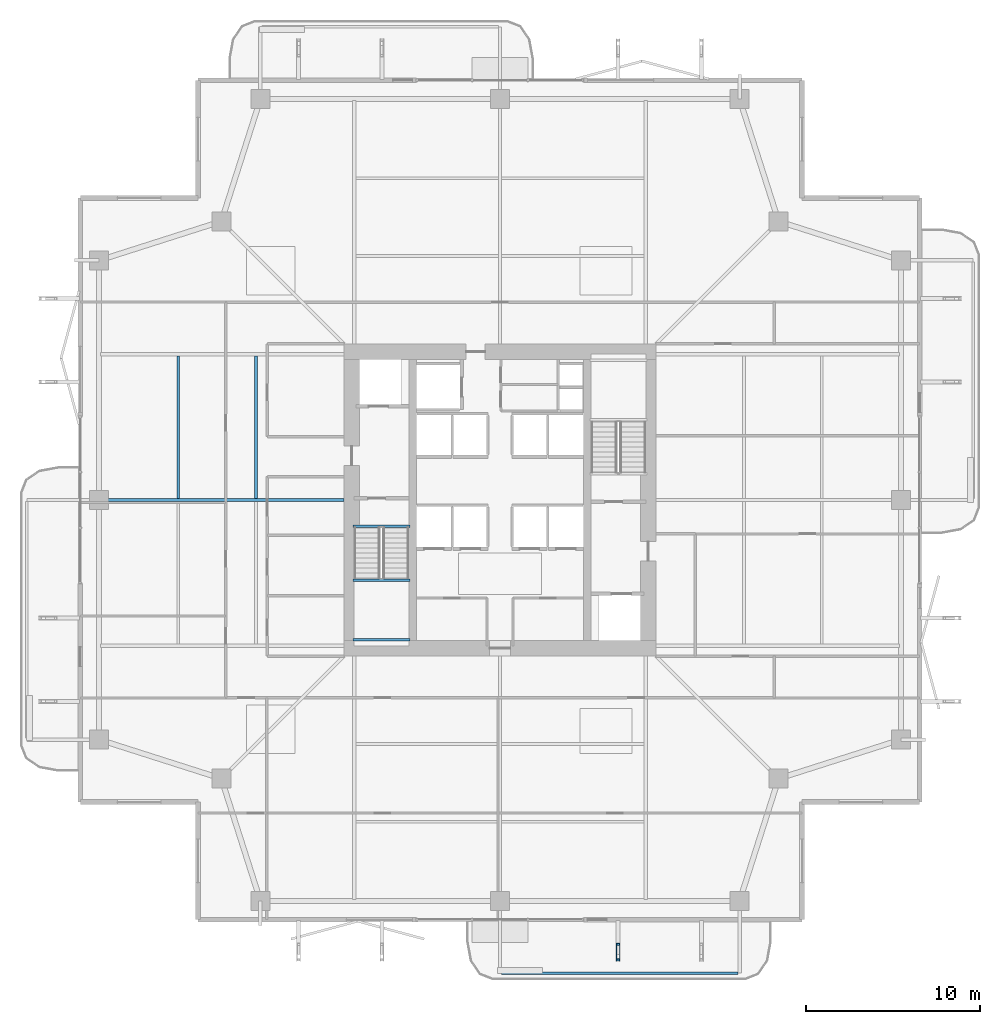
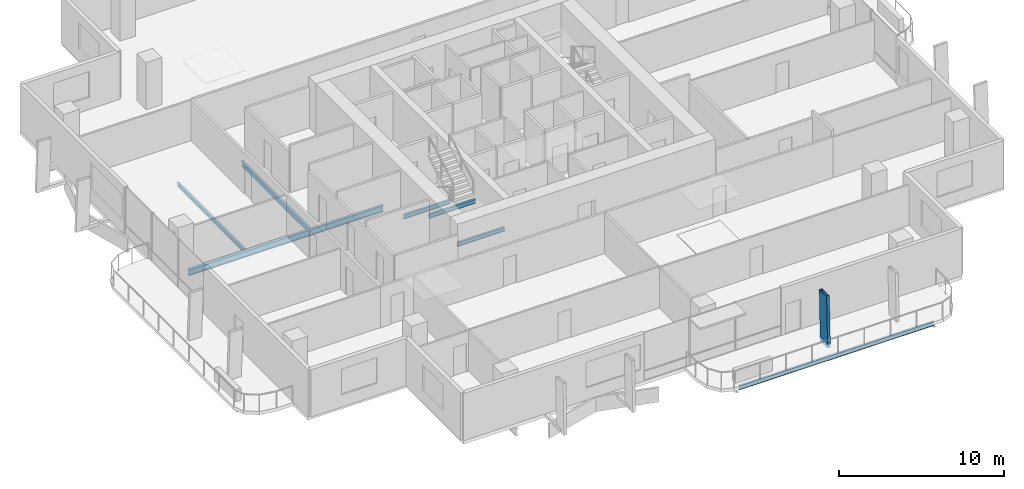
# One storey, part 7 of 25: 7 beams, 1 member.
"""IFC4 building model written with IfcOpenShell, lengths in metres."""

from ifc_helpers import new_model, si_unit, direction, frame, origin, origin_2d, place, context, subcontext, project, spatial, hollow_rectangle, i_section, extrude, material, material_profile, profile_set, type_object, element, save


model = new_model("IFC4")

# Units and contexts
model_context = context("Model", 3, precision=1e-05, world=origin(), true_north=direction((0.0, 1.0)))
body_context = subcontext(model_context, "Body", "Model", "MODEL_VIEW")
ifc_project = project(units=[si_unit("LENGTHUNIT", "METRE"), si_unit("AREAUNIT", "SQUARE_METRE"), si_unit("VOLUMEUNIT", "CUBIC_METRE"), si_unit("PLANEANGLEUNIT", "RADIAN"), si_unit("MASSUNIT", "GRAM", prefix="KILO")], contexts=[model_context])

# Site, building, storey
site_placement = place(None, origin())
site = spatial("IfcSite", under=ifc_project, at=site_placement, CompositionType="ELEMENT")
building_placement = place(site_placement, origin())
building = spatial("IfcBuilding", under=site, at=building_placement, Name="Belovzor Exchange Tower", CompositionType="ELEMENT")
storey_placement = place(building_placement, frame((0.0, 0.0, 142.050048828125)))
storey = spatial("IfcBuildingStorey", under=building, at=storey_placement, Name="L34", CompositionType="ELEMENT", Elevation=142.050048828125)

# Beams
ifc_material_1 = material(Name="Steel S355", Category="steel")
ifc_material_profile_1 = material_profile(ifc_material_1, i_section(OverallWidth=0.14990234375, OverallDepth=0.300048828125, WebThickness=0.007080078125, FlangeThickness=0.0107421875, at=origin_2d()))
ifc_profile_set_1 = profile_set([ifc_material_profile_1], Name="Steel S355")
beam_type_1 = type_object("IfcBeamType", Name="Planted Balcony Fascia Edge Beam IPE 300", PredefinedType="BEAM", material=ifc_profile_set_1)
beam_1_placement = place(storey_placement, frame((28.89990234375, 1.547119140625, -0.405029296875), z_axis=(1.0, 0.0, 0.0), x_axis=(0.0, 1.0, 0.0)))
element("IfcBeam", 1, at=beam_1_placement, inside=storey, type_object=beam_type_1, Name="BC-300 Planted Balcony Fascia Edge Beam IPE 300", PredefinedType="BEAM", context=body_context, shape_type="SweptSolid", body=[
    extrude(i_section(OverallWidth=0.14990234375, OverallDepth=0.300048828125, WebThickness=0.007080078125, FlangeThickness=0.0107421875, at=origin_2d()), origin(), (0.0, 0.0, 1.0), 13.60009765625),
])
ifc_material_2 = material(Name="Steel S355", Category="steel")
ifc_material_profile_2 = material_profile(ifc_material_2, i_section(OverallWidth=0.169921875, OverallDepth=0.360107421875, WebThickness=0.008056640625, FlangeThickness=0.0126953125, at=origin_2d()))
ifc_profile_set_2 = profile_set([ifc_material_profile_2], Name="Steel S355")
beam_type_2 = type_object("IfcBeamType", Name="Secondary Infill Floor Joist IPE 360", PredefinedType="BEAM", material=ifc_profile_set_2)
beam_2_placement = place(storey_placement, frame((14.7509765625, 28.89501953125, -0.43505859375), z_axis=(0.0, 1.0, 0.0), x_axis=(-1.0, 0.0, 0.0)))
element("IfcBeam", 2, at=beam_2_placement, inside=storey, type_object=beam_type_2, Name="FJ-360 Secondary Infill Floor Joist IPE 360", PredefinedType="BEAM", context=body_context, shape_type="SweptSolid", body=[
    extrude(i_section(OverallWidth=0.169921875, OverallDepth=0.360107421875, WebThickness=0.008056640625, FlangeThickness=0.0126953125, at=origin_2d()), origin(), (0.0, 0.0, 1.0), 8.2099609375),
])
ifc_material_3 = material(Name="Steel S355", Category="steel")
ifc_material_profile_3 = material_profile(ifc_material_3, i_section(OverallWidth=0.14990234375, OverallDepth=0.300048828125, WebThickness=0.007080078125, FlangeThickness=0.0107421875, at=origin_2d()))
ifc_profile_set_3 = profile_set([ifc_material_profile_3], Name="Steel S355")
beam_type_3 = type_object("IfcBeamType", Name="Secondary Trim Floor Joist IPE 300", PredefinedType="BEAM", material=ifc_profile_set_3)
for number, where, z_axis, x_axis, name in (
    (3, (20.320068359375, 24.179931640625, 1.52490234375), (1.0, 0.0, 0.0), (0.0, 1.0, 0.0), "FJ-300 Secondary Trim Floor Joist IPE 300"),
    (4, (20.320068359375, 20.75, 1.52490234375), (1.0, 0.0, 0.0), (0.0, 1.0, 0.0), "FJ-300 Secondary Trim Floor Joist IPE 300"),
):
    element("IfcBeam", number, at=place(storey_placement, frame(where, z_axis=z_axis, x_axis=x_axis)), inside=storey, type_object=beam_type_3, Name=name, PredefinedType="BEAM", context=body_context, shape_type="SweptSolid", body=[
        extrude(i_section(OverallWidth=0.14990234375, OverallDepth=0.300048828125, WebThickness=0.007080078125, FlangeThickness=0.0107421875, at=origin_2d()), origin(), (0.0, 0.0, 1.0), 3.309814453125),
    ])
beam_3_placement = place(storey_placement, frame((20.340087890625, 27.280029296875, -0.405029296875), z_axis=(1.0, 0.0, 0.0), x_axis=(0.0, 1.0, 0.0)))
element("IfcBeam", 5, at=beam_3_placement, inside=storey, type_object=beam_type_3, Name="FJ-300 Secondary Trim Floor Joist IPE 300", PredefinedType="BEAM", context=body_context, shape_type="SweptSolid", body=[
    extrude(i_section(OverallWidth=0.14990234375, OverallDepth=0.300048828125, WebThickness=0.007080078125, FlangeThickness=0.0107421875, at=origin_2d()), origin(), (0.0, 0.0, 1.0), 3.27001953125),
])
beam_4_placement = place(storey_placement, frame((10.262939453125, 28.89501953125, -0.405029296875), z_axis=(0.0, 1.0, 0.0), x_axis=(-1.0, 0.0, 0.0)))
element("IfcBeam", 6, at=beam_4_placement, inside=storey, type_object=beam_type_3, Name="FJ-300 Secondary Trim Floor Joist IPE 300", PredefinedType="BEAM", context=body_context, shape_type="SweptSolid", body=[
    extrude(i_section(OverallWidth=0.14990234375, OverallDepth=0.300048828125, WebThickness=0.007080078125, FlangeThickness=0.0107421875, at=origin_2d()), origin(), (0.0, 0.0, 1.0), 8.2099609375),
])

# Member
ifc_material_4 = material(Name="Extruded Architectural Terracotta on Steel S355 Carrier", Category="masonry")
ifc_material_profile_4 = material_profile(ifc_material_4, hollow_rectangle(XDim=0.199951171875, YDim=0.89990234375, WallThickness=0.011962890625, at=origin_2d()))
ifc_profile_set_4 = profile_set([ifc_material_profile_4], Name="Extruded Architectural Terracotta on Steel S355 Carrier")
member_type = type_object("IfcMemberType", Name="Sweeping Terracotta Baguette Fin Assembly 1250", PredefinedType="USERDEFINED", material=ifc_profile_set_4)
member_placement = place(storey_placement, frame((35.60009765625, 2.693115234375, -0.255126953125), z_axis=(0.0, 0.032989845915, 0.999455686895), x_axis=(-1.0, 0.0, 0.0)))
element("IfcMember", 7, at=member_placement, inside=storey, type_object=member_type, Name="FIN-TC125 Terracotta Facade Fin L34 S3", ObjectType="FIN", PredefinedType="USERDEFINED", context=body_context, shape_type="SweptSolid", body=[
    extrude(hollow_rectangle(XDim=0.199951171875, YDim=0.89990234375, WallThickness=0.011962890625, at=origin_2d()), origin(), (0.0, 0.0, 1.0), 3.751953125),
])

# Beam
ifc_material_5 = material(Name="Steel S355", Category="steel")
ifc_material_profile_5 = material_profile(ifc_material_5, i_section(OverallWidth=0.18994140625, OverallDepth=0.449951171875, WebThickness=0.009521484375, FlangeThickness=0.0146484375, at=origin_2d()))
ifc_profile_set_5 = profile_set([ifc_material_profile_5], Name="Steel S355")
beam_type_4 = type_object("IfcBeamType", Name="Zone 2-4 Radial Composite Floor Beam IPE 450", PredefinedType="BEAM", material=ifc_profile_set_5)
beam_5_placement = place(storey_placement, frame((19.800048828125, 28.800048828125, -0.47998046875), z_axis=(-1.0, 0.0, 0.0), x_axis=(0.0, -1.0, 0.0)))
element("IfcBeam", 8, at=beam_5_placement, inside=storey, type_object=beam_type_4, Name="FB-450 Zone 2-4 Radial Composite Floor Beam IPE 450", PredefinedType="BEAM", context=body_context, shape_type="SweptSolid", body=[
    extrude(i_section(OverallWidth=0.18994140625, OverallDepth=0.449951171875, WebThickness=0.009521484375, FlangeThickness=0.0146484375, at=origin_2d()), origin(), (0.0, 0.0, 1.0), 13.615966796875),
])

save(model, "model.ifc")
